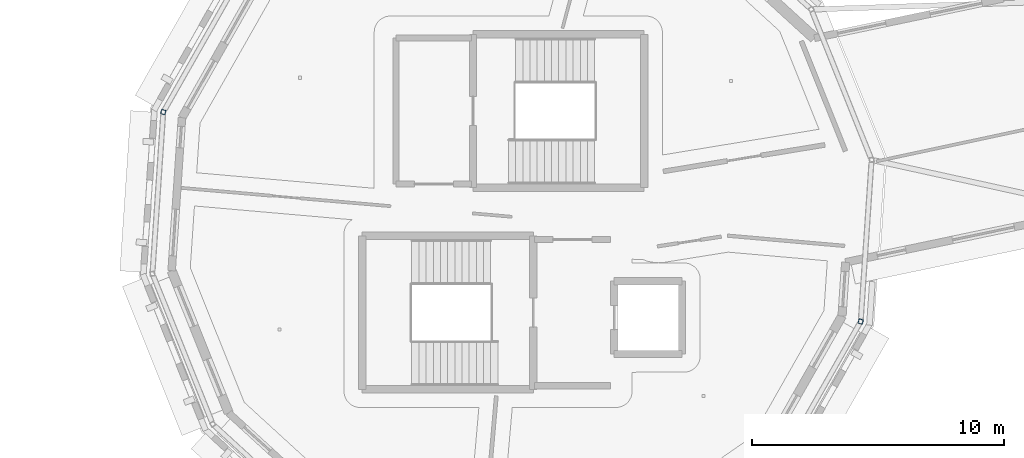
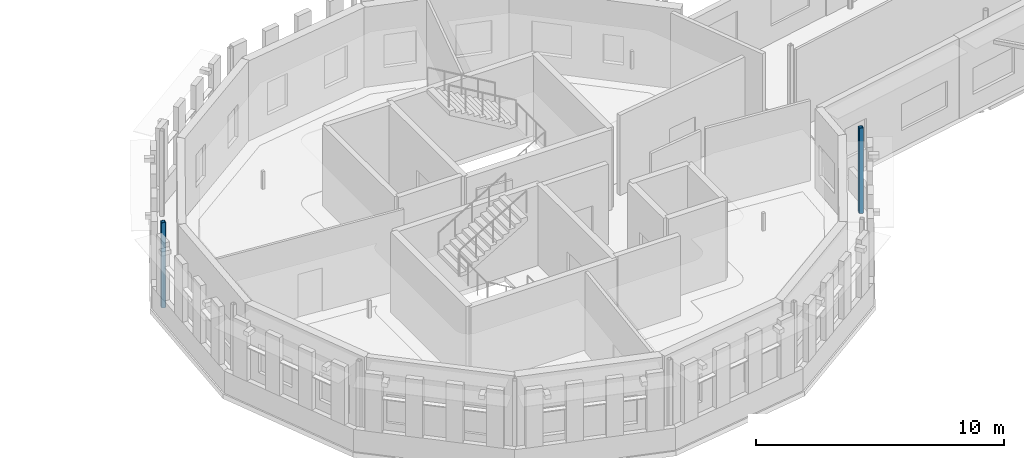
# One storey, part 7 of 68: 2 columns.
"""IFC4 building model written with IfcOpenShell, lengths in metres."""

from ifc_helpers import new_model, si_unit, direction, frame, origin, origin_2d, place, context, subcontext, project, spatial, hollow_rectangle, extrude, material, material_profile, profile_set, type_object, element, save


model = new_model("IFC4")

# Units and contexts
model_context = context("Model", 3, precision=1e-05, world=origin(), true_north=direction((0.0, 1.0)))
body_context = subcontext(model_context, "Body", "Model", "MODEL_VIEW")
ifc_project = project(units=[si_unit("LENGTHUNIT", "METRE"), si_unit("AREAUNIT", "SQUARE_METRE"), si_unit("VOLUMEUNIT", "CUBIC_METRE"), si_unit("PLANEANGLEUNIT", "RADIAN"), si_unit("MASSUNIT", "GRAM", prefix="KILO")], contexts=[model_context])

# Site, building, storey
site_placement = place(None, origin())
site = spatial("IfcSite", under=ifc_project, at=site_placement, CompositionType="ELEMENT")
building_placement = place(site_placement, origin())
building = spatial("IfcBuilding", under=site, at=building_placement, Name="Wrenclough Park School", CompositionType="ELEMENT")
storey_placement = place(building_placement, frame((0.0, 0.0, 12.60009765625)))
storey = spatial("IfcBuildingStorey", under=building, at=storey_placement, Name="L03", CompositionType="ELEMENT", Elevation=12.60009765625)

# Columns
ifc_material = material(Name="Structural steel S355", Category="steel")
ifc_material_profile = material_profile(ifc_material, hollow_rectangle(XDim=0.179931640625, YDim=0.179931640625, WallThickness=0.010009765625, InnerFilletRadius=0.010009765625, OuterFilletRadius=0.014892578125, at=origin_2d()), Name="SHS 180x180x10.0")
ifc_profile_set = profile_set([ifc_material_profile], Name="Structural steel S355")
column_type = type_object("IfcColumnType", Name="STR-COL-SHS180", PredefinedType="PILASTER", material=ifc_profile_set)
for number, where, z_axis, x_axis, name in (
    (1, (69.160400390625, 112.65576171875, 0.0), (0.0, 0.0, 1.0), (-0.287527687034, -0.957772326385, 0.0), "D4 L03 column D4-OUT-07"),
    (2, (96.839599609375, 104.34423828125, 0.0), (0.0, 0.0, 1.0), (0.287527687034, 0.957772326385, 0.0), "D4 L03 column D4-OUT-14"),
):
    element("IfcColumn", number, at=place(storey_placement, frame(where, z_axis=z_axis, x_axis=x_axis)), inside=storey, type_object=column_type, Name=name, PredefinedType="PILASTER", context=body_context, shape_type="SweptSolid", body=[
        extrude(hollow_rectangle(XDim=0.179931640625, YDim=0.179931640625, WallThickness=0.010009765625, InnerFilletRadius=0.010009765625, OuterFilletRadius=0.014892578125, at=origin_2d()), origin(), (0.0, 0.0, 1.0), 4.199951171875),
    ])

save(model, "model.ifc")
